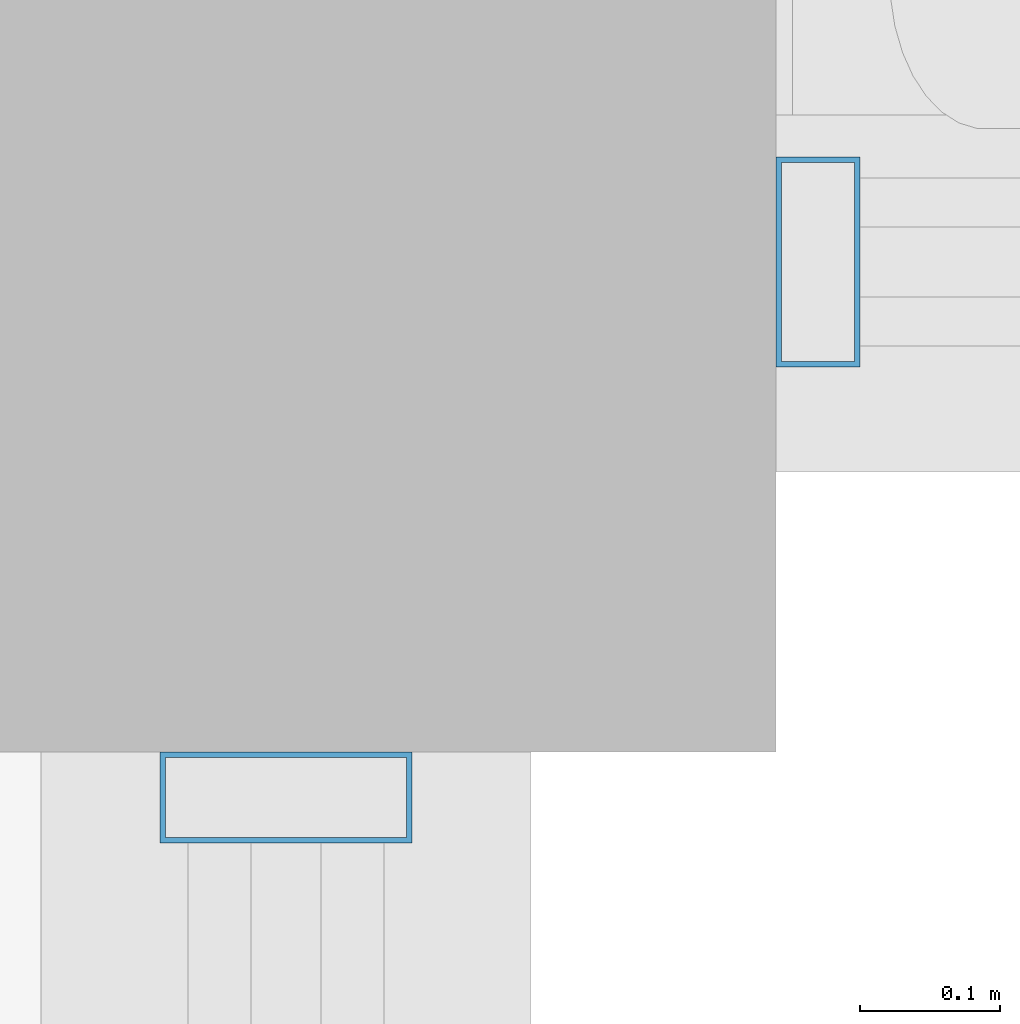
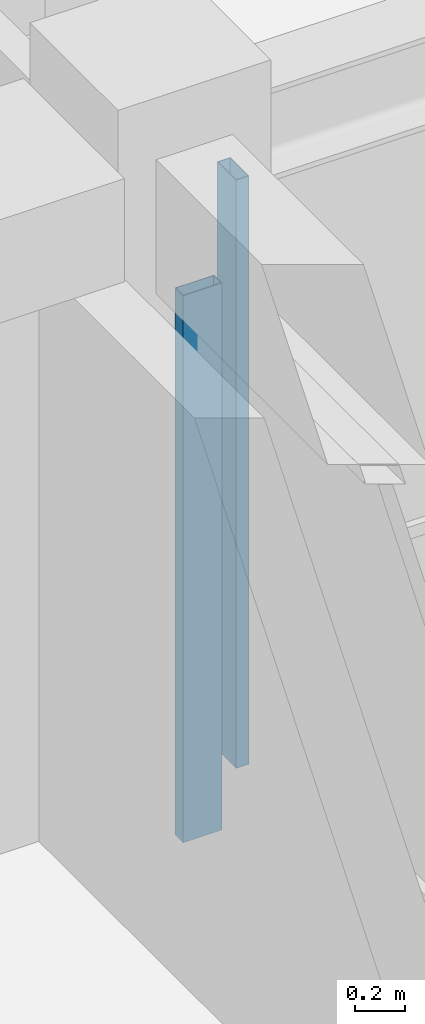
# One storey, part 9 of 49: 2 members, 2 elements without a shape of their own.
"""IFC4 building model written with IfcOpenShell, lengths in metres."""

from ifc_helpers import new_model, si_unit, direction, frame, origin, origin_2d, place, context, subcontext, project, spatial, hollow_rectangle, extrude, material, material_profile, profile_set, type_object, element, aggregate, save


model = new_model("IFC4")

# Units and contexts
model_context = context("Model", 3, precision=1e-05, world=origin(), true_north=direction((0.0, 1.0)))
body_context = subcontext(model_context, "Body", "Model", "MODEL_VIEW")
ifc_project = project(units=[si_unit("LENGTHUNIT", "METRE"), si_unit("AREAUNIT", "SQUARE_METRE"), si_unit("VOLUMEUNIT", "CUBIC_METRE"), si_unit("PLANEANGLEUNIT", "RADIAN"), si_unit("MASSUNIT", "GRAM", prefix="KILO"), si_unit("THERMODYNAMICTEMPERATUREUNIT", "KELVIN"), si_unit("POWERUNIT", "WATT")], contexts=[model_context])

# Site, building, storey
site_placement = place(None, origin())
site = spatial("IfcSite", under=ifc_project, at=site_placement, CompositionType="ELEMENT")
building_placement = place(site_placement, origin())
building = spatial("IfcBuilding", under=site, at=building_placement, Name="Srebrne Nadtorze General Hospital", CompositionType="ELEMENT")
storey_placement = place(building_placement, frame((0.0, 0.0, 26.10009765625)))
storey = spatial("IfcBuildingStorey", under=building, at=storey_placement, Name="L06", CompositionType="ELEMENT", Elevation=26.10009765625)

# Curtain wall, member
ifc_material_1 = material(Name="Anodised Aluminium", Category="aluminium")
curtain_wall_type_1 = type_object("IfcCurtainWallType", Name="Bridge curtain wall 7300x2850", PredefinedType="NOTDEFINED", material=ifc_material_1)
curtain_wall_1_placement = place(storey_placement, origin())
curtain_wall_1 = element("IfcCurtainWall", 1, at=curtain_wall_1_placement, inside=storey, type_object=curtain_wall_type_1, Name="Curtain wall CW-138", PredefinedType="NOTDEFINED")
ifc_material_2 = material(Name="Anodised Aluminium", Category="aluminium")
ifc_material_profile_1 = material_profile(ifc_material_2, hollow_rectangle(XDim=0.06005859375, YDim=0.14990234375, WallThickness=0.00390625, at=origin_2d()), Name="AL-MUL-60x150")
ifc_profile_set_1 = profile_set([ifc_material_profile_1], Name="Anodised Aluminium")
member_type_1 = type_object("IfcMemberType", Name="Curtain mullion 60x150", PredefinedType="MULLION", material=ifc_profile_set_1)
member_1_placement = place(storey_placement, frame((54.97998046875, 50.39990234375, 0.0), z_axis=(0.0, 0.0, 1.0), x_axis=(1.0, 0.0, 0.0)))
member_1 = element("IfcMember", 2, at=member_1_placement, type_object=member_type_1, Name="CW-138 mullion 1", PredefinedType="MULLION", context=body_context, shape_type="SweptSolid", body=[
    extrude(hollow_rectangle(XDim=0.06005859375, YDim=0.14990234375, WallThickness=0.00390625, at=origin_2d()), origin(), (0.0, 0.0, 1.0), 2.849853515625),
])
aggregate(curtain_wall_1, [member_1])

ifc_material_3 = material(Name="Anodised Aluminium", Category="aluminium")
curtain_wall_type_2 = type_object("IfcCurtainWallType", Name="Unitised curtain wall 7700x2650", PredefinedType="NOTDEFINED", material=ifc_material_3)
curtain_wall_2_placement = place(storey_placement, origin())
curtain_wall_2 = element("IfcCurtainWall", 3, at=curtain_wall_2_placement, inside=storey, type_object=curtain_wall_type_2, Name="Curtain wall CW-151", PredefinedType="NOTDEFINED")
ifc_material_4 = material(Name="Anodised Aluminium", Category="aluminium")
ifc_material_profile_2 = material_profile(ifc_material_4, hollow_rectangle(XDim=0.06494140625, YDim=0.179931640625, WallThickness=0.00390625, at=origin_2d()), Name="AL-MUL-65x180")
ifc_profile_set_2 = profile_set([ifc_material_profile_2], Name="Anodised Aluminium")
member_type_2 = type_object("IfcMemberType", Name="Curtain mullion 65x180", PredefinedType="MULLION", material=ifc_profile_set_2)
member_2_placement = place(storey_placement, frame((54.60009765625, 50.017578125, 0.0), z_axis=(0.0, 0.0, 1.0), x_axis=(0.0, 1.0, 0.0)))
member_2 = element("IfcMember", 4, at=member_2_placement, type_object=member_type_2, Name="CW-151 mullion 3", PredefinedType="MULLION", context=body_context, shape_type="SweptSolid", body=[
    extrude(hollow_rectangle(XDim=0.06494140625, YDim=0.179931640625, WallThickness=0.00390625, at=origin_2d()), origin(), (0.0, 0.0, 1.0), 2.64990234375),
])
aggregate(curtain_wall_2, [member_2])

save(model, "model.ifc")
